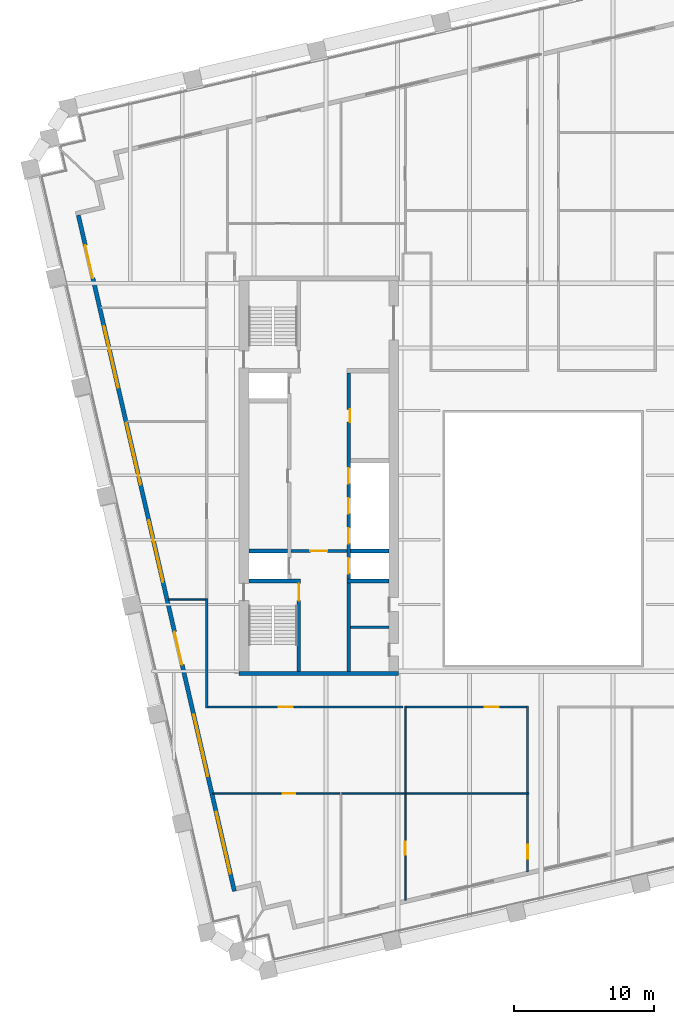
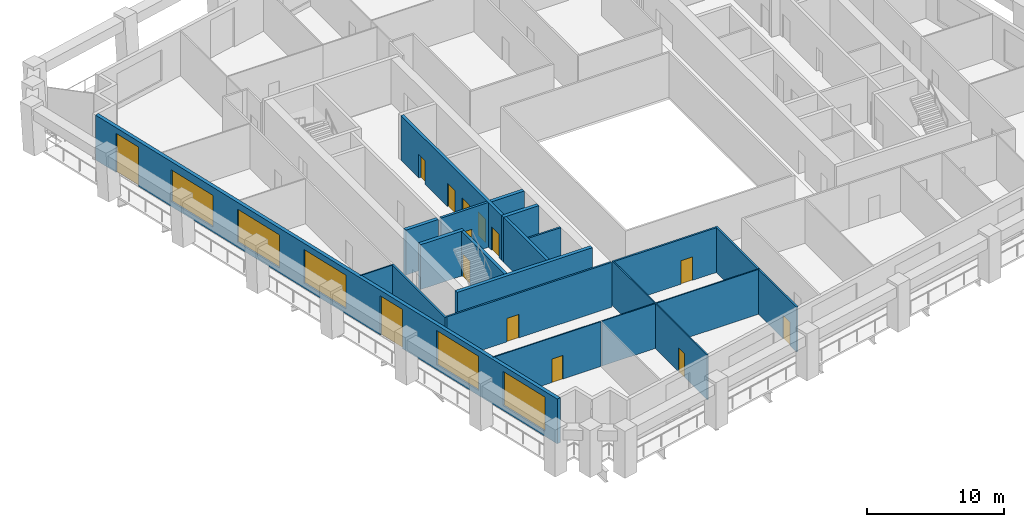
# One storey, part 4 of 10: 21 walls, 14 doors, 5 windows, 19 openings.
"""IFC4 building model written with IfcOpenShell, lengths in metres."""

from ifc_helpers import new_model, si_unit, direction, frame, frame_2d, origin, place, context, subcontext, project, spatial, rectangle, extrude, material, layer, layer_set, type_object, element, fill, save


model = new_model("IFC4")

# Units and contexts
model_context = context("Model", 3, precision=1e-05, world=origin(), true_north=direction((0.0, 1.0)))
body_context = subcontext(model_context, "Body", "Model", "MODEL_VIEW")
ifc_project = project(units=[si_unit("LENGTHUNIT", "METRE"), si_unit("AREAUNIT", "SQUARE_METRE"), si_unit("VOLUMEUNIT", "CUBIC_METRE"), si_unit("PLANEANGLEUNIT", "RADIAN"), si_unit("MASSUNIT", "GRAM", prefix="KILO")], contexts=[model_context])

# Site, building, storey
site_placement = place(None, origin())
site = spatial("IfcSite", under=ifc_project, at=site_placement, CompositionType="ELEMENT")
building_placement = place(site_placement, origin())
building = spatial("IfcBuilding", under=site, at=building_placement, Name="Ogive Exchange Tower", CompositionType="ELEMENT")
storey_placement = place(building_placement, frame((0.0, 0.0, 180.0)))
storey = spatial("IfcBuildingStorey", under=building, at=storey_placement, Name="L39", CompositionType="ELEMENT", Elevation=180.0)

# Walls
ifc_material_1 = material(Name="Gypsum board partition")
ifc_layer_1 = layer(ifc_material_1, 0.14990234375)
ifc_layer_set_1 = layer_set([ifc_layer_1], Name="Core room partition 150 gypsum")
wall_type_1 = type_object("IfcWallType", Name="Core room partition 150 gypsum", PredefinedType="PARTITIONING", material=ifc_layer_set_1)
wall_1_placement = place(storey_placement, frame((-13.75, 0.699951171875, 0.0), z_axis=(0.0, 0.0, 1.0), x_axis=(1.0, 0.0, 0.0)))
element("IfcWall", 1, at=wall_1_placement, inside=storey, type_object=wall_type_1, Name="W south room partition", PredefinedType="PARTITIONING", context=body_context, shape_type="SweptSolid", body=[
    extrude(rectangle(XDim=2.75, YDim=0.14990234375, at=frame_2d((1.375, 0.0))), origin(), (0.0, 0.0, 1.0), 4.0),
])
ifc_material_2 = material(Name="Fire partition EI 60 150")
ifc_layer_2 = layer(ifc_material_2, 0.14990234375)
ifc_layer_set_2 = layer_set([ifc_layer_2], Name="Fire partition EI 60 150")
wall_type_2 = type_object("IfcWallType", Name="Fire partition EI 60 150", PredefinedType="PARTITIONING", material=ifc_layer_set_2)
wall_2_placement = place(storey_placement, frame((-24.0, -5.074951171875, 0.0), z_axis=(0.0, 0.0, 1.0), x_axis=(0.0, 1.0, 0.0)))
element("IfcWall", 2, at=wall_2_placement, inside=storey, type_object=wall_type_2, Name="L39-PWL-001", PredefinedType="PARTITIONING", context=body_context, shape_type="SweptSolid", body=[
    extrude(rectangle(XDim=7.81494140625, YDim=0.14990234375, at=frame_2d((3.907470703125, 0.0))), origin(), (0.0, 0.0, 1.0), 4.0),
])

# Wall, opening, door
wall_3_placement = place(storey_placement, frame((-10.0, -5.0, 0.0), z_axis=(0.0, 0.0, 1.0), x_axis=(-1.0, 0.0, 0.0)))
wall_3 = element("IfcWall", 3, at=wall_3_placement, inside=storey, type_object=wall_type_2, Name="L39-PWL-018", PredefinedType="PARTITIONING", context=body_context, shape_type="SweptSolid", body=[
    extrude(rectangle(XDim=13.925048828125, YDim=0.14990234375, at=frame_2d((6.96240234375, 0.0))), origin(), (0.0, 0.0, 1.0), 4.0),
])
opening_1_placement = place(wall_3_placement, frame((7.85009765625, 0.0, 0.0)))
opening_1 = element("IfcOpeningElement", 4, at=opening_1_placement, cuts=wall_3, Name="Opening L39-I11", PredefinedType="OPENING", context=body_context, shape_type="SweptSolid", body=[
    extrude(rectangle(XDim=1.0, YDim=2.10009765625, at=frame_2d((0.5, 1.050048828125))), frame((0.0, 0.0849609375, 0.0), z_axis=(0.0, -1.0, 0.0), x_axis=(1.0, 0.0, 0.0)), (0.0, 0.0, 1.0), 0.169921875),
])
ifc_material_3 = material(Name="Fire door FD 30S 1000 x 2100")
door_type_1 = type_object("IfcDoorType", Name="Fire door FD 30S 1000 x 2100", OperationType="NOTDEFINED", PredefinedType="DOOR", material=ifc_material_3)
door_1_placement = place(opening_1_placement, origin())
door_1 = element("IfcDoor", 5, at=door_1_placement, inside=storey, type_object=door_type_1, Name="L39-IDR-011", ObjectType="DT3", OperationType="SINGLE_SWING_LEFT", OverallHeight=2.10009765625, OverallWidth=1.0, PredefinedType="DOOR", context=body_context, shape_type="SweptSolid", body=[
    extrude(rectangle(XDim=1.0, YDim=2.10009765625, at=frame_2d((0.5, 1.050048828125))), frame((0.0, 0.02490234375, 0.0), z_axis=(0.0, -1.0, 0.0), x_axis=(1.0, 0.0, 0.0)), (0.0, 0.0, 1.0), 0.050048828125),
])
fill(opening_1, door_1)

wall_4_placement = place(storey_placement, frame((-1.10009765625, -16.778076171875, 0.0), z_axis=(0.0, 0.0, 1.0), x_axis=(0.0, 1.0, 0.0)))
wall_4 = element("IfcWall", 6, at=wall_4_placement, inside=storey, type_object=wall_type_2, Name="L39-PWL-031", PredefinedType="PARTITIONING", context=body_context, shape_type="SweptSolid", body=[
    extrude(rectangle(XDim=5.55810546875, YDim=0.14990234375, at=frame_2d((2.779052734375, 0.0))), origin(), (0.0, 0.0, 1.0), 4.0),
])
opening_2_placement = place(wall_4_placement, frame((0.9580078125, 0.0, 0.0)))
opening_2 = element("IfcOpeningElement", 7, at=opening_2_placement, cuts=wall_4, Name="Opening L39-I01", PredefinedType="OPENING", context=body_context, shape_type="SweptSolid", body=[
    extrude(rectangle(XDim=1.0, YDim=2.10009765625, at=frame_2d((0.5, 1.050048828125))), frame((0.0, 0.0849609375, 0.0), z_axis=(0.0, -1.0, 0.0), x_axis=(1.0, 0.0, 0.0)), (0.0, 0.0, 1.0), 0.169921875),
])
door_2_placement = place(opening_2_placement, origin())
door_2 = element("IfcDoor", 8, at=door_2_placement, inside=storey, type_object=door_type_1, Name="L39-IDR-001", ObjectType="DT3", OperationType="SINGLE_SWING_RIGHT", OverallHeight=2.10009765625, OverallWidth=1.0, PredefinedType="DOOR", context=body_context, shape_type="SweptSolid", body=[
    extrude(rectangle(XDim=1.0, YDim=2.10009765625, at=frame_2d((0.5, 1.050048828125))), frame((0.0, 0.02490234375, 0.0), z_axis=(0.0, -1.0, 0.0), x_axis=(1.0, 0.0, 0.0)), (0.0, 0.0, 1.0), 0.050048828125),
])
fill(opening_2, door_2)

# Wall
wall_5_placement = place(storey_placement, frame((-1.10009765625, -11.1201171875, 0.0), z_axis=(0.0, 0.0, 1.0), x_axis=(0.0, 1.0, 0.0)))
element("IfcWall", 9, at=wall_5_placement, inside=storey, type_object=wall_type_2, Name="L39-PWL-032", PredefinedType="PARTITIONING", context=body_context, shape_type="SweptSolid", body=[
    extrude(rectangle(XDim=6.195068359375, YDim=0.14990234375, at=frame_2d((3.09765625, 0.0))), origin(), (0.0, 0.0, 1.0), 4.0),
])

# Wall, opening, door
wall_6_placement = place(storey_placement, frame((-1.175048828125, -5.0, 0.0), z_axis=(0.0, 0.0, 1.0), x_axis=(-1.0, 0.0, 0.0)))
wall_6 = element("IfcWall", 10, at=wall_6_placement, inside=storey, type_object=wall_type_2, Name="L39-PWL-033", PredefinedType="PARTITIONING", context=body_context, shape_type="SweptSolid", body=[
    extrude(rectangle(XDim=8.60498046875, YDim=0.14990234375, at=frame_2d((4.302490234375, 0.0))), origin(), (0.0, 0.0, 1.0), 4.0),
])
opening_3_placement = place(wall_6_placement, frame((2.0048828125, 0.0, 0.0)))
opening_3 = element("IfcOpeningElement", 11, at=opening_3_placement, cuts=wall_6, Name="Opening L39-I02", PredefinedType="OPENING", context=body_context, shape_type="SweptSolid", body=[
    extrude(rectangle(XDim=1.0, YDim=2.10009765625, at=frame_2d((0.5, 1.050048828125))), frame((0.0, 0.0849609375, 0.0), z_axis=(0.0, -1.0, 0.0), x_axis=(1.0, 0.0, 0.0)), (0.0, 0.0, 1.0), 0.169921875),
])
door_3_placement = place(opening_3_placement, origin())
door_3 = element("IfcDoor", 12, at=door_3_placement, inside=storey, type_object=door_type_1, Name="L39-IDR-002", ObjectType="DT3", OperationType="SINGLE_SWING_RIGHT", OverallHeight=2.10009765625, OverallWidth=1.0, PredefinedType="DOOR", context=body_context, shape_type="SweptSolid", body=[
    extrude(rectangle(XDim=1.0, YDim=2.10009765625, at=frame_2d((0.5, 1.050048828125))), frame((0.0, 0.02490234375, 0.0), z_axis=(0.0, -1.0, 0.0), x_axis=(1.0, 0.0, 0.0)), (0.0, 0.0, 1.0), 0.050048828125),
])
fill(opening_3, door_3)

# Wall, openings, doors, windows
ifc_material_4 = material(Name="Precast concrete C40/50", Category="concrete")
ifc_layer_3 = layer(ifc_material_4, 0.300048828125)
ifc_layer_set_3 = layer_set([ifc_layer_3], Name="Limestone-faced wall 300")
wall_type_3 = type_object("IfcWallType", Name="Limestone-faced wall 300", PredefinedType="STANDARD", material=ifc_layer_set_3)
wall_7_placement = place(storey_placement, frame((-33.1572265625, 30.092041015625, 0.0), z_axis=(0.0, 0.0, 1.0), x_axis=(0.224950279389, -0.974370243697, 0.0)))
wall_7 = element("IfcWall", 13, at=wall_7_placement, inside=storey, type_object=wall_type_3, Name="External wall W4", PredefinedType="STANDARD", context=body_context, shape_type="SweptSolid", body=[
    extrude(rectangle(XDim=49.499755859375, YDim=0.300048828125, at=frame_2d((24.75, 0.0))), origin(), (0.0, 0.0, 1.0), 4.0),
])
opening_4_placement = place(wall_7_placement, frame((2.20703125, 0.0, 0.0)))
opening_4 = element("IfcOpeningElement", 14, at=opening_4_placement, cuts=wall_7, Name="Opening D1", PredefinedType="OPENING", context=body_context, shape_type="SweptSolid", body=[
    extrude(rectangle(XDim=2.39990234375, YDim=3.5, at=frame_2d((1.199951171875, 1.75))), frame((0.0, 0.159912109375, 0.0), z_axis=(0.0, -1.0, 0.0), x_axis=(1.0, 0.0, 0.0)), (0.0, 0.0, 1.0), 0.320068359375),
])
opening_5_placement = place(wall_7_placement, frame((8.121337890625, 0.0, 0.449951171875)))
opening_5 = element("IfcOpeningElement", 15, at=opening_5_placement, cuts=wall_7, Name="Opening W1E", PredefinedType="OPENING", context=body_context, shape_type="SweptSolid", body=[
    extrude(rectangle(XDim=4.5, YDim=2.824951171875, at=frame_2d((2.25, 1.41259765625))), frame((0.0, 0.159912109375, 0.0), z_axis=(0.0, -1.0, 0.0), x_axis=(1.0, 0.0, 0.0)), (0.0, 0.0, 1.0), 0.320068359375),
])
opening_6_placement = place(wall_7_placement, frame((15.235595703125, 0.0, 0.449951171875)))
opening_6 = element("IfcOpeningElement", 16, at=opening_6_placement, cuts=wall_7, Name="Opening W1B", PredefinedType="OPENING", context=body_context, shape_type="SweptSolid", body=[
    extrude(rectangle(XDim=4.5, YDim=2.949951171875, at=frame_2d((2.25, 1.47509765625))), frame((0.0, 0.159912109375, 0.0), z_axis=(0.0, -1.0, 0.0), x_axis=(1.0, 0.0, 0.0)), (0.0, 0.0, 1.0), 0.320068359375),
])
opening_7_placement = place(wall_7_placement, frame((22.35009765625, 0.0, 0.449951171875)))
opening_7 = element("IfcOpeningElement", 17, at=opening_7_placement, cuts=wall_7, Name="Opening W1A", PredefinedType="OPENING", context=body_context, shape_type="SweptSolid", body=[
    extrude(rectangle(XDim=4.5, YDim=3.0, at=frame_2d((2.25, 1.5))), frame((0.0, 0.159912109375, 0.0), z_axis=(0.0, -1.0, 0.0), x_axis=(1.0, 0.0, 0.0)), (0.0, 0.0, 1.0), 0.320068359375),
])
opening_8_placement = place(wall_7_placement, frame((30.51416015625, 0.0, 0.0)))
opening_8 = element("IfcOpeningElement", 18, at=opening_8_placement, cuts=wall_7, Name="Opening D1", PredefinedType="OPENING", context=body_context, shape_type="SweptSolid", body=[
    extrude(rectangle(XDim=2.39990234375, YDim=3.5, at=frame_2d((1.199951171875, 1.75))), frame((0.0, 0.159912109375, 0.0), z_axis=(0.0, -1.0, 0.0), x_axis=(1.0, 0.0, 0.0)), (0.0, 0.0, 1.0), 0.320068359375),
])
opening_9_placement = place(wall_7_placement, frame((36.57861328125, 0.0, 0.449951171875)))
opening_9 = element("IfcOpeningElement", 19, at=opening_9_placement, cuts=wall_7, Name="Opening W1", PredefinedType="OPENING", context=body_context, shape_type="SweptSolid", body=[
    extrude(rectangle(XDim=4.5, YDim=3.050048828125, at=frame_2d((2.25, 1.52490234375))), frame((0.0, 0.159912109375, 0.0), z_axis=(0.0, -1.0, 0.0), x_axis=(1.0, 0.0, 0.0)), (0.0, 0.0, 1.0), 0.320068359375),
])
opening_10_placement = place(wall_7_placement, frame((43.69287109375, 0.0, 0.449951171875)))
opening_10 = element("IfcOpeningElement", 20, at=opening_10_placement, cuts=wall_7, Name="Opening W1", PredefinedType="OPENING", context=body_context, shape_type="SweptSolid", body=[
    extrude(rectangle(XDim=4.5, YDim=3.050048828125, at=frame_2d((2.25, 1.52490234375))), frame((0.0, 0.159912109375, 0.0), z_axis=(0.0, -1.0, 0.0), x_axis=(1.0, 0.0, 0.0)), (0.0, 0.0, 1.0), 0.320068359375),
])
ifc_material_5 = material(Name="Clear glass in bronze frame", Category="glass")
door_type_2 = type_object("IfcDoorType", Name="Sliding loggia door 2400 x 3500", OperationType="DOUBLE_DOOR_SLIDING", PredefinedType="DOOR", material=ifc_material_5)
door_4_placement = place(opening_4_placement, origin())
door_4 = element("IfcDoor", 21, at=door_4_placement, inside=storey, type_object=door_type_2, Name="Loggia door W00", OperationType="DOUBLE_DOOR_SLIDING", OverallHeight=3.5, OverallWidth=2.39990234375, PredefinedType="DOOR", context=body_context, shape_type="SweptSolid", body=[
    extrude(rectangle(XDim=2.39990234375, YDim=3.5, at=frame_2d((1.199951171875, 1.75))), frame((0.0, 0.02490234375, 0.0), z_axis=(0.0, -1.0, 0.0), x_axis=(1.0, 0.0, 0.0)), (0.0, 0.0, 1.0), 0.050048828125),
])
fill(opening_4, door_4)
door_5_placement = place(opening_8_placement, origin())
door_5 = element("IfcDoor", 22, at=door_5_placement, inside=storey, type_object=door_type_2, Name="Loggia door W04", OperationType="DOUBLE_DOOR_SLIDING", OverallHeight=3.5, OverallWidth=2.39990234375, PredefinedType="DOOR", context=body_context, shape_type="SweptSolid", body=[
    extrude(rectangle(XDim=2.39990234375, YDim=3.5, at=frame_2d((1.199951171875, 1.75))), frame((0.0, 0.02490234375, 0.0), z_axis=(0.0, -1.0, 0.0), x_axis=(1.0, 0.0, 0.0)), (0.0, 0.0, 1.0), 0.050048828125),
])
fill(opening_8, door_5)
window_type_1 = type_object("IfcWindowType", Name="Twin lancet window 4500 x 2825", PartitioningType="DOUBLE_PANEL_VERTICAL", PredefinedType="WINDOW", material=ifc_material_5)
window_1_placement = place(opening_5_placement, origin())
window_1 = element("IfcWindow", 23, at=window_1_placement, inside=storey, type_object=window_type_1, Name="Window W01", OverallHeight=2.824951171875, OverallWidth=4.5, PartitioningType="DOUBLE_PANEL_VERTICAL", PredefinedType="WINDOW", context=body_context, shape_type="SweptSolid", body=[
    extrude(rectangle(XDim=4.5, YDim=2.824951171875, at=frame_2d((2.25, 1.41259765625))), frame((0.0, 0.030029296875, 0.0), z_axis=(0.0, -1.0, 0.0), x_axis=(1.0, 0.0, 0.0)), (0.0, 0.0, 1.0), 0.06005859375),
])
fill(opening_5, window_1)
window_type_2 = type_object("IfcWindowType", Name="Twin lancet window 4500 x 2950", PartitioningType="DOUBLE_PANEL_VERTICAL", PredefinedType="WINDOW", material=ifc_material_5)
window_2_placement = place(opening_6_placement, origin())
window_2 = element("IfcWindow", 24, at=window_2_placement, inside=storey, type_object=window_type_2, Name="Window W02", OverallHeight=2.949951171875, OverallWidth=4.5, PartitioningType="DOUBLE_PANEL_VERTICAL", PredefinedType="WINDOW", context=body_context, shape_type="SweptSolid", body=[
    extrude(rectangle(XDim=4.5, YDim=2.949951171875, at=frame_2d((2.25, 1.47509765625))), frame((0.0, 0.030029296875, 0.0), z_axis=(0.0, -1.0, 0.0), x_axis=(1.0, 0.0, 0.0)), (0.0, 0.0, 1.0), 0.06005859375),
])
fill(opening_6, window_2)
window_type_3 = type_object("IfcWindowType", Name="Twin lancet window 4500 x 3000", PartitioningType="DOUBLE_PANEL_VERTICAL", PredefinedType="WINDOW", material=ifc_material_5)
window_3_placement = place(opening_7_placement, origin())
window_3 = element("IfcWindow", 25, at=window_3_placement, inside=storey, type_object=window_type_3, Name="Window W03", OverallHeight=3.0, OverallWidth=4.5, PartitioningType="DOUBLE_PANEL_VERTICAL", PredefinedType="WINDOW", context=body_context, shape_type="SweptSolid", body=[
    extrude(rectangle(XDim=4.5, YDim=3.0, at=frame_2d((2.25, 1.5))), frame((0.0, 0.030029296875, 0.0), z_axis=(0.0, -1.0, 0.0), x_axis=(1.0, 0.0, 0.0)), (0.0, 0.0, 1.0), 0.06005859375),
])
fill(opening_7, window_3)
window_type_4 = type_object("IfcWindowType", Name="Twin lancet window 4500 x 3050", PartitioningType="DOUBLE_PANEL_VERTICAL", PredefinedType="WINDOW", material=ifc_material_5)
window_4_placement = place(opening_9_placement, origin())
window_4 = element("IfcWindow", 26, at=window_4_placement, inside=storey, type_object=window_type_4, Name="Window W05", OverallHeight=3.050048828125, OverallWidth=4.5, PartitioningType="DOUBLE_PANEL_VERTICAL", PredefinedType="WINDOW", context=body_context, shape_type="SweptSolid", body=[
    extrude(rectangle(XDim=4.5, YDim=3.050048828125, at=frame_2d((2.25, 1.52490234375))), frame((0.0, 0.030029296875, 0.0), z_axis=(0.0, -1.0, 0.0), x_axis=(1.0, 0.0, 0.0)), (0.0, 0.0, 1.0), 0.06005859375),
])
fill(opening_9, window_4)
window_5_placement = place(opening_10_placement, origin())
window_5 = element("IfcWindow", 27, at=window_5_placement, inside=storey, type_object=window_type_4, Name="Window W06", OverallHeight=3.050048828125, OverallWidth=4.5, PartitioningType="DOUBLE_PANEL_VERTICAL", PredefinedType="WINDOW", context=body_context, shape_type="SweptSolid", body=[
    extrude(rectangle(XDim=4.5, YDim=3.050048828125, at=frame_2d((2.25, 1.52490234375))), frame((0.0, 0.030029296875, 0.0), z_axis=(0.0, -1.0, 0.0), x_axis=(1.0, 0.0, 0.0)), (0.0, 0.0, 1.0), 0.06005859375),
])
fill(opening_10, window_5)

# Wall
ifc_material_6 = material(Name="Partition 100 gypsum")
ifc_layer_4 = layer(ifc_material_6, 0.10009765625)
ifc_layer_set_4 = layer_set([ifc_layer_4], Name="Partition 100 gypsum")
wall_type_4 = type_object("IfcWallType", Name="Partition 100 gypsum", PredefinedType="PARTITIONING", material=ifc_layer_set_4)
wall_8_placement = place(storey_placement, frame((-24.074951171875, 2.68994140625, 0.0), z_axis=(0.0, 0.0, 1.0), x_axis=(-1.0, 0.0, 0.0)))
element("IfcWall", 28, at=wall_8_placement, inside=storey, type_object=wall_type_4, Name="L39-PWL-002", PredefinedType="PARTITIONING", context=body_context, shape_type="SweptSolid", body=[
    extrude(rectangle(XDim=2.68505859375, YDim=0.10009765625, at=frame_2d((1.342529296875, 0.0))), origin(), (0.0, 0.0, 1.0), 4.0),
])

# Wall, opening, door
wall_9_placement = place(storey_placement, frame((-14.47998046875, -11.169921875, 0.0), z_axis=(0.0, 0.0, 1.0), x_axis=(-1.0, 0.0, 0.0)))
wall_9 = element("IfcWall", 29, at=wall_9_placement, inside=storey, type_object=wall_type_4, Name="L39-PWL-015", PredefinedType="PARTITIONING", context=body_context, shape_type="SweptSolid", body=[
    extrude(rectangle(XDim=9.080078125, YDim=0.10009765625, at=frame_2d((4.5400390625, 0.0))), origin(), (0.0, 0.0, 1.0), 4.0),
])
opening_11_placement = place(wall_9_placement, frame((3.2099609375, 0.0, 0.0)))
opening_11 = element("IfcOpeningElement", 30, at=opening_11_placement, cuts=wall_9, Name="Opening L39-I13", PredefinedType="OPENING", context=body_context, shape_type="SweptSolid", body=[
    extrude(rectangle(XDim=0.89990234375, YDim=2.10009765625, at=frame_2d((0.449951171875, 1.050048828125))), frame((0.0, 0.06005859375, 0.0), z_axis=(0.0, -1.0, 0.0), x_axis=(1.0, 0.0, 0.0)), (0.0, 0.0, 1.0), 0.1201171875),
])
ifc_material_7 = material(Name="Door 900 x 2100")
door_type_3 = type_object("IfcDoorType", Name="Door 900 x 2100", OperationType="NOTDEFINED", PredefinedType="DOOR", material=ifc_material_7)
door_6_placement = place(opening_11_placement, origin())
door_6 = element("IfcDoor", 31, at=door_6_placement, inside=storey, type_object=door_type_3, Name="L39-IDR-013", ObjectType="DT1", OperationType="SINGLE_SWING_RIGHT", OverallHeight=2.10009765625, OverallWidth=0.89990234375, PredefinedType="DOOR", context=body_context, shape_type="SweptSolid", body=[
    extrude(rectangle(XDim=0.89990234375, YDim=2.10009765625, at=frame_2d((0.449951171875, 1.050048828125))), frame((0.0, 0.02490234375, 0.0), z_axis=(0.0, -1.0, 0.0), x_axis=(1.0, 0.0, 0.0)), (0.0, 0.0, 1.0), 0.050048828125),
])
fill(opening_11, door_6)

wall_10_placement = place(storey_placement, frame((-9.830078125, -18.7939453125, 0.0), z_axis=(0.0, 0.0, 1.0), x_axis=(0.0, 1.0, 0.0)))
wall_10 = element("IfcWall", 32, at=wall_10_placement, inside=storey, type_object=wall_type_4, Name="L39-PWL-020", PredefinedType="PARTITIONING", context=body_context, shape_type="SweptSolid", body=[
    extrude(rectangle(XDim=7.673828125, YDim=0.10009765625, at=frame_2d((3.8369140625, 0.0))), origin(), (0.0, 0.0, 1.0), 4.0),
])
opening_12_placement = place(wall_10_placement, frame((3.27392578125, 0.0, 0.0)))
opening_12 = element("IfcOpeningElement", 33, at=opening_12_placement, cuts=wall_10, Name="Opening L39-I12", PredefinedType="OPENING", context=body_context, shape_type="SweptSolid", body=[
    extrude(rectangle(XDim=0.89990234375, YDim=2.10009765625, at=frame_2d((0.449951171875, 1.050048828125))), frame((0.0, 0.06005859375, 0.0), z_axis=(0.0, -1.0, 0.0), x_axis=(1.0, 0.0, 0.0)), (0.0, 0.0, 1.0), 0.1201171875),
])
door_7_placement = place(opening_12_placement, origin())
door_7 = element("IfcDoor", 34, at=door_7_placement, inside=storey, type_object=door_type_3, Name="L39-IDR-012", ObjectType="DT1", OperationType="SINGLE_SWING_LEFT", OverallHeight=2.10009765625, OverallWidth=0.89990234375, PredefinedType="DOOR", context=body_context, shape_type="SweptSolid", body=[
    extrude(rectangle(XDim=0.89990234375, YDim=2.10009765625, at=frame_2d((0.449951171875, 1.050048828125))), frame((0.0, 0.02490234375, 0.0), z_axis=(0.0, -1.0, 0.0), x_axis=(1.0, 0.0, 0.0)), (0.0, 0.0, 1.0), 0.050048828125),
])
fill(opening_12, door_7)

# Walls
wall_11_placement = place(storey_placement, frame((-9.8798828125, -11.169921875, 0.0), z_axis=(0.0, 0.0, 1.0), x_axis=(-1.0, 0.0, 0.0)))
element("IfcWall", 35, at=wall_11_placement, inside=storey, type_object=wall_type_4, Name="L39-PWL-021", PredefinedType="PARTITIONING", context=body_context, shape_type="SweptSolid", body=[
    extrude(rectangle(XDim=4.5, YDim=0.10009765625, at=frame_2d((2.25, 0.0))), origin(), (0.0, 0.0, 1.0), 4.0),
])
wall_12_placement = place(storey_placement, frame((-9.830078125, -11.1201171875, 0.0), z_axis=(0.0, 0.0, 1.0), x_axis=(0.0, 1.0, 0.0)))
element("IfcWall", 36, at=wall_12_placement, inside=storey, type_object=wall_type_4, Name="L39-PWL-022", PredefinedType="PARTITIONING", context=body_context, shape_type="SweptSolid", body=[
    extrude(rectangle(XDim=6.195068359375, YDim=0.10009765625, at=frame_2d((3.09765625, 0.0))), origin(), (0.0, 0.0, 1.0), 4.0),
])
wall_13_placement = place(storey_placement, frame((-9.780029296875, -11.169921875, 0.0), z_axis=(0.0, 0.0, 1.0), x_axis=(1.0, 0.0, 0.0)))
element("IfcWall", 37, at=wall_13_placement, inside=storey, type_object=wall_type_4, Name="L39-PWL-023", PredefinedType="PARTITIONING", context=body_context, shape_type="SweptSolid", body=[
    extrude(rectangle(XDim=8.755126953125, YDim=0.10009765625, at=frame_2d((4.37744140625, 0.0))), origin(), (0.0, 0.0, 1.0), 4.0),
])

# Wall, opening, door
ifc_material_8 = material(Name="Concrete C70/85", Category="concrete")
ifc_layer_5 = layer(ifc_material_8, 0.199951171875)
ifc_layer_set_5 = layer_set([ifc_layer_5], Name="RC core wall 200 C70/85")
wall_type_5 = type_object("IfcWallType", Name="RC core wall 200 C70/85", PredefinedType="SHEAR", material=ifc_layer_set_5)
wall_14_placement = place(storey_placement, frame((-18.0, 6.142822265625, 0.0), z_axis=(0.0, 0.0, 1.0), x_axis=(1.0, 0.0, 0.0)))
wall_14 = element("IfcWall", 38, at=wall_14_placement, inside=storey, type_object=wall_type_5, Name="W firefighting lobby wall", PredefinedType="SHEAR", context=body_context, shape_type="SweptSolid", body=[
    extrude(rectangle(XDim=4.0, YDim=0.199951171875, at=frame_2d((2.0, 0.0))), origin(), (0.0, 0.0, 1.0), 4.0),
])
opening_13_placement = place(wall_14_placement, frame((1.39990234375, 0.0, 0.0)))
opening_13 = element("IfcOpeningElement", 39, at=opening_13_placement, cuts=wall_14, Name="Opening L39-C09", PredefinedType="OPENING", context=body_context, shape_type="SweptSolid", body=[
    extrude(rectangle(XDim=1.199951171875, YDim=2.10009765625, at=frame_2d((0.60009765625, 1.050048828125))), frame((0.0, 0.10986328125, 0.0), z_axis=(0.0, -1.0, 0.0), x_axis=(1.0, 0.0, 0.0)), (0.0, 0.0, 1.0), 0.219970703125),
])
ifc_material_9 = material(Name="Steel fire door", Category="steel")
door_type_4 = type_object("IfcDoorType", Name="Firefighting lobby door FD60 1200 x 2100", OperationType="NOTDEFINED", PredefinedType="DOOR", material=ifc_material_9)
door_8_placement = place(opening_13_placement, frame((1.199951171875, 0.0, 0.0), z_axis=(0.0, 0.0, 1.0), x_axis=(-1.0, 0.0, 0.0)))
door_8 = element("IfcDoor", 40, at=door_8_placement, inside=storey, type_object=door_type_4, Name="Firefighting lobby door", ObjectType="CD3", OperationType="SINGLE_SWING_LEFT", OverallHeight=2.10009765625, OverallWidth=1.199951171875, PredefinedType="DOOR", context=body_context, shape_type="SweptSolid", body=[
    extrude(rectangle(XDim=1.199951171875, YDim=2.10009765625, at=frame_2d((0.60009765625, 1.050048828125))), frame((0.0, 0.02490234375, 0.0), z_axis=(0.0, -1.0, 0.0), x_axis=(1.0, 0.0, 0.0)), (0.0, 0.0, 1.0), 0.050048828125),
])
fill(opening_13, door_8)

ifc_layer_6 = layer(ifc_material_8, 0.25)
ifc_layer_set_6 = layer_set([ifc_layer_6], Name="RC core wall 250 C70/85")
wall_type_6 = type_object("IfcWallType", Name="RC core wall 250 C70/85", PredefinedType="SHEAR", material=ifc_layer_set_6)
wall_15_placement = place(storey_placement, frame((-17.425048828125, -2.449951171875, 0.0), z_axis=(0.0, 0.0, 1.0), x_axis=(0.0, 1.0, 0.0)))
wall_15 = element("IfcWall", 41, at=wall_15_placement, inside=storey, type_object=wall_type_6, Name="W stair S front wall", PredefinedType="SHEAR", context=body_context, shape_type="SweptSolid", body=[
    extrude(rectangle(XDim=6.300048828125, YDim=0.25, at=frame_2d((3.14990234375, 0.0))), origin(), (0.0, 0.0, 1.0), 4.0),
])
opening_14_placement = place(wall_15_placement, frame((5.050048828125, 0.0, 0.0)))
opening_14 = element("IfcOpeningElement", 42, at=opening_14_placement, cuts=wall_15, Name="Opening L39-C11", PredefinedType="OPENING", context=body_context, shape_type="SweptSolid", body=[
    extrude(rectangle(XDim=1.199951171875, YDim=2.10009765625, at=frame_2d((0.60009765625, 1.050048828125))), frame((0.0, 0.135009765625, 0.0), z_axis=(0.0, -1.0, 0.0), x_axis=(1.0, 0.0, 0.0)), (0.0, 0.0, 1.0), 0.27001953125),
])
door_type_5 = type_object("IfcDoorType", Name="Stair door FD90 1200 x 2100", OperationType="NOTDEFINED", PredefinedType="DOOR", material=ifc_material_9)
door_9_placement = place(opening_14_placement, origin())
door_9 = element("IfcDoor", 43, at=door_9_placement, inside=storey, type_object=door_type_5, Name="Stair door", ObjectType="CD5", OperationType="SINGLE_SWING_LEFT", OverallHeight=2.10009765625, OverallWidth=1.199951171875, PredefinedType="DOOR", context=body_context, shape_type="SweptSolid", body=[
    extrude(rectangle(XDim=1.199951171875, YDim=2.10009765625, at=frame_2d((0.60009765625, 1.050048828125))), frame((0.0, 0.02490234375, 0.0), z_axis=(0.0, -1.0, 0.0), x_axis=(1.0, 0.0, 0.0)), (0.0, 0.0, 1.0), 0.050048828125),
])
fill(opening_14, door_9)

# Wall, openings, doors
wall_16_placement = place(storey_placement, frame((-13.875, -2.449951171875, 0.0), z_axis=(0.0, 0.0, 1.0), x_axis=(0.0, 1.0, 0.0)))
wall_16 = element("IfcWall", 44, at=wall_16_placement, inside=storey, type_object=wall_type_6, Name="W row B front wall", PredefinedType="SHEAR", context=body_context, shape_type="SweptSolid", body=[
    extrude(rectangle(XDim=21.300048828125, YDim=0.25, at=frame_2d((10.64990234375, 0.0))), origin(), (0.0, 0.0, 1.0), 4.0),
])
opening_15_placement = place(wall_16_placement, frame((17.78564453125, 0.0, 0.0)))
opening_15 = element("IfcOpeningElement", 45, at=opening_15_placement, cuts=wall_16, Name="Opening L39-C04", PredefinedType="OPENING", context=body_context, shape_type="SweptSolid", body=[
    extrude(rectangle(XDim=0.89990234375, YDim=2.10009765625, at=frame_2d((0.449951171875, 1.050048828125))), frame((0.0, 0.135009765625, 0.0), z_axis=(0.0, -1.0, 0.0), x_axis=(1.0, 0.0, 0.0)), (0.0, 0.0, 1.0), 0.27001953125),
])
opening_16_placement = place(wall_16_placement, frame((6.971435546875, 0.0, 0.0)))
opening_16 = element("IfcOpeningElement", 46, at=opening_16_placement, cuts=wall_16, Name="Opening L39-C05", PredefinedType="OPENING", context=body_context, shape_type="SweptSolid", body=[
    extrude(rectangle(XDim=1.10009765625, YDim=2.10009765625, at=frame_2d((0.550048828125, 1.050048828125))), frame((0.0, 0.135009765625, 0.0), z_axis=(0.0, -1.0, 0.0), x_axis=(1.0, 0.0, 0.0)), (0.0, 0.0, 1.0), 0.27001953125),
])
opening_17_placement = place(wall_16_placement, frame((9.1142578125, 0.0, 0.0)))
opening_17 = element("IfcOpeningElement", 47, at=opening_17_placement, cuts=wall_16, Name="Opening L39-C06", PredefinedType="OPENING", context=body_context, shape_type="SweptSolid", body=[
    extrude(rectangle(XDim=1.10009765625, YDim=2.10009765625, at=frame_2d((0.550048828125, 1.050048828125))), frame((0.0, 0.135009765625, 0.0), z_axis=(0.0, -1.0, 0.0), x_axis=(1.0, 0.0, 0.0)), (0.0, 0.0, 1.0), 0.27001953125),
])
opening_18_placement = place(wall_16_placement, frame((11.257080078125, 0.0, 0.0)))
opening_18 = element("IfcOpeningElement", 48, at=opening_18_placement, cuts=wall_16, Name="Opening L39-C07", PredefinedType="OPENING", context=body_context, shape_type="SweptSolid", body=[
    extrude(rectangle(XDim=1.10009765625, YDim=2.10009765625, at=frame_2d((0.550048828125, 1.050048828125))), frame((0.0, 0.135009765625, 0.0), z_axis=(0.0, -1.0, 0.0), x_axis=(1.0, 0.0, 0.0)), (0.0, 0.0, 1.0), 0.27001953125),
])
opening_19_placement = place(wall_16_placement, frame((13.39990234375, 0.0, 0.0)))
opening_19 = element("IfcOpeningElement", 49, at=opening_19_placement, cuts=wall_16, Name="Opening L39-C08", PredefinedType="OPENING", context=body_context, shape_type="SweptSolid", body=[
    extrude(rectangle(XDim=1.10009765625, YDim=2.10009765625, at=frame_2d((0.550048828125, 1.050048828125))), frame((0.0, 0.135009765625, 0.0), z_axis=(0.0, -1.0, 0.0), x_axis=(1.0, 0.0, 0.0)), (0.0, 0.0, 1.0), 0.27001953125),
])
ifc_material_10 = material(Name="Stainless steel", Category="steel")
door_type_6 = type_object("IfcDoorType", Name="Lift landing door FD90 1100 x 2100", OperationType="SLIDING_TO_LEFT", PredefinedType="DOOR", material=ifc_material_10)
door_10_placement = place(opening_16_placement, origin())
door_10 = element("IfcDoor", 50, at=door_10_placement, inside=storey, type_object=door_type_6, Name="Lift landing door SV1", ObjectType="LD", OperationType="SLIDING_TO_LEFT", OverallHeight=2.10009765625, OverallWidth=1.10009765625, PredefinedType="DOOR", context=body_context, shape_type="SweptSolid", body=[
    extrude(rectangle(XDim=1.10009765625, YDim=2.10009765625, at=frame_2d((0.550048828125, 1.050048828125))), frame((0.0, 0.02490234375, 0.0), z_axis=(0.0, -1.0, 0.0), x_axis=(1.0, 0.0, 0.0)), (0.0, 0.0, 1.0), 0.050048828125),
])
fill(opening_16, door_10)
door_11_placement = place(opening_17_placement, origin())
door_11 = element("IfcDoor", 51, at=door_11_placement, inside=storey, type_object=door_type_6, Name="Lift landing door W-M1", ObjectType="LD", OperationType="SLIDING_TO_LEFT", OverallHeight=2.10009765625, OverallWidth=1.10009765625, PredefinedType="DOOR", context=body_context, shape_type="SweptSolid", body=[
    extrude(rectangle(XDim=1.10009765625, YDim=2.10009765625, at=frame_2d((0.550048828125, 1.050048828125))), frame((0.0, 0.02490234375, 0.0), z_axis=(0.0, -1.0, 0.0), x_axis=(1.0, 0.0, 0.0)), (0.0, 0.0, 1.0), 0.050048828125),
])
fill(opening_17, door_11)
door_12_placement = place(opening_18_placement, origin())
door_12 = element("IfcDoor", 52, at=door_12_placement, inside=storey, type_object=door_type_6, Name="Lift landing door W-M2", ObjectType="LD", OperationType="SLIDING_TO_LEFT", OverallHeight=2.10009765625, OverallWidth=1.10009765625, PredefinedType="DOOR", context=body_context, shape_type="SweptSolid", body=[
    extrude(rectangle(XDim=1.10009765625, YDim=2.10009765625, at=frame_2d((0.550048828125, 1.050048828125))), frame((0.0, 0.02490234375, 0.0), z_axis=(0.0, -1.0, 0.0), x_axis=(1.0, 0.0, 0.0)), (0.0, 0.0, 1.0), 0.050048828125),
])
fill(opening_18, door_12)
door_13_placement = place(opening_19_placement, origin())
door_13 = element("IfcDoor", 53, at=door_13_placement, inside=storey, type_object=door_type_6, Name="Lift landing door W-M3", ObjectType="LD", OperationType="SLIDING_TO_LEFT", OverallHeight=2.10009765625, OverallWidth=1.10009765625, PredefinedType="DOOR", context=body_context, shape_type="SweptSolid", body=[
    extrude(rectangle(XDim=1.10009765625, YDim=2.10009765625, at=frame_2d((0.550048828125, 1.050048828125))), frame((0.0, 0.02490234375, 0.0), z_axis=(0.0, -1.0, 0.0), x_axis=(1.0, 0.0, 0.0)), (0.0, 0.0, 1.0), 0.050048828125),
])
fill(opening_19, door_13)
door_type_7 = type_object("IfcDoorType", Name="Riser door FD60 900 x 2100", OperationType="NOTDEFINED", PredefinedType="DOOR", material=ifc_material_9)
door_14_placement = place(opening_15_placement, frame((0.89990234375, -0.2001953125, 0.0), z_axis=(0.0, 0.0, 1.0), x_axis=(-1.0, 0.0, 0.0)))
door_14 = element("IfcDoor", 54, at=door_14_placement, inside=storey, type_object=door_type_7, Name="Riser door", ObjectType="CD2", OperationType="SINGLE_SWING_RIGHT", OverallHeight=2.10009765625, OverallWidth=0.89990234375, PredefinedType="DOOR", context=body_context, shape_type="SweptSolid", body=[
    extrude(rectangle(XDim=0.89990234375, YDim=2.10009765625, at=frame_2d((0.449951171875, 1.050048828125))), frame((0.0, -0.0751953125, 0.0), z_axis=(0.0, -1.0, 0.0), x_axis=(1.0, 0.0, 0.0)), (0.0, 0.0, 1.0), 0.050048828125),
])
fill(opening_15, door_14)

# Walls
ifc_layer_7 = layer(ifc_material_8, 0.300048828125)
ifc_layer_set_7 = layer_set([ifc_layer_7], Name="RC core wall 300 C70/85")
wall_type_7 = type_object("IfcWallType", Name="RC core wall 300 C70/85", PredefinedType="SHEAR", material=ifc_layer_set_7)
wall_17_placement = place(storey_placement, frame((-21.699951171875, -2.60009765625, 0.0), z_axis=(0.0, 0.0, 1.0), x_axis=(1.0, 0.0, 0.0)))
element("IfcWall", 55, at=wall_17_placement, inside=storey, type_object=wall_type_7, Name="W south end wall", PredefinedType="SHEAR", context=body_context, shape_type="SweptSolid", body=[
    extrude(rectangle(XDim=11.39990234375, YDim=0.300048828125, at=frame_2d((5.699951171875, 0.0))), origin(), (0.0, 0.0, 1.0), 4.0),
])
wall_18_placement = place(storey_placement, frame((-21.0, 4.0, 0.0), z_axis=(0.0, 0.0, 1.0), x_axis=(1.0, 0.0, 0.0)))
element("IfcWall", 56, at=wall_18_placement, inside=storey, type_object=wall_type_7, Name="W stair S north wall", PredefinedType="SHEAR", context=body_context, shape_type="SweptSolid", body=[
    extrude(rectangle(XDim=3.699951171875, YDim=0.300048828125, at=frame_2d((1.85009765625, 0.0))), origin(), (0.0, 0.0, 1.0), 4.0),
])
wall_19_placement = place(storey_placement, frame((-21.0, 6.142822265625, 0.0), z_axis=(0.0, 0.0, 1.0), x_axis=(1.0, 0.0, 0.0)))
element("IfcWall", 57, at=wall_19_placement, inside=storey, type_object=wall_type_7, Name="W row A divider 1", PredefinedType="SHEAR", context=body_context, shape_type="SweptSolid", body=[
    extrude(rectangle(XDim=2.75, YDim=0.300048828125, at=frame_2d((1.375, 0.0))), origin(), (0.0, 0.0, 1.0), 4.0),
])
wall_20_placement = place(storey_placement, frame((-14.0, 4.0, 0.0), z_axis=(0.0, 0.0, 1.0), x_axis=(1.0, 0.0, 0.0)))
element("IfcWall", 58, at=wall_20_placement, inside=storey, type_object=wall_type_7, Name="W row B divider 0", PredefinedType="SHEAR", context=body_context, shape_type="SweptSolid", body=[
    extrude(rectangle(XDim=3.0, YDim=0.300048828125, at=frame_2d((1.5, 0.0))), origin(), (0.0, 0.0, 1.0), 4.0),
])
wall_21_placement = place(storey_placement, frame((-13.75, 6.142822265625, 0.0), z_axis=(0.0, 0.0, 1.0), x_axis=(1.0, 0.0, 0.0)))
element("IfcWall", 59, at=wall_21_placement, inside=storey, type_object=wall_type_7, Name="W row B divider 1", PredefinedType="SHEAR", context=body_context, shape_type="SweptSolid", body=[
    extrude(rectangle(XDim=2.75, YDim=0.300048828125, at=frame_2d((1.375, 0.0))), origin(), (0.0, 0.0, 1.0), 4.0),
])

save(model, "model.ifc")
